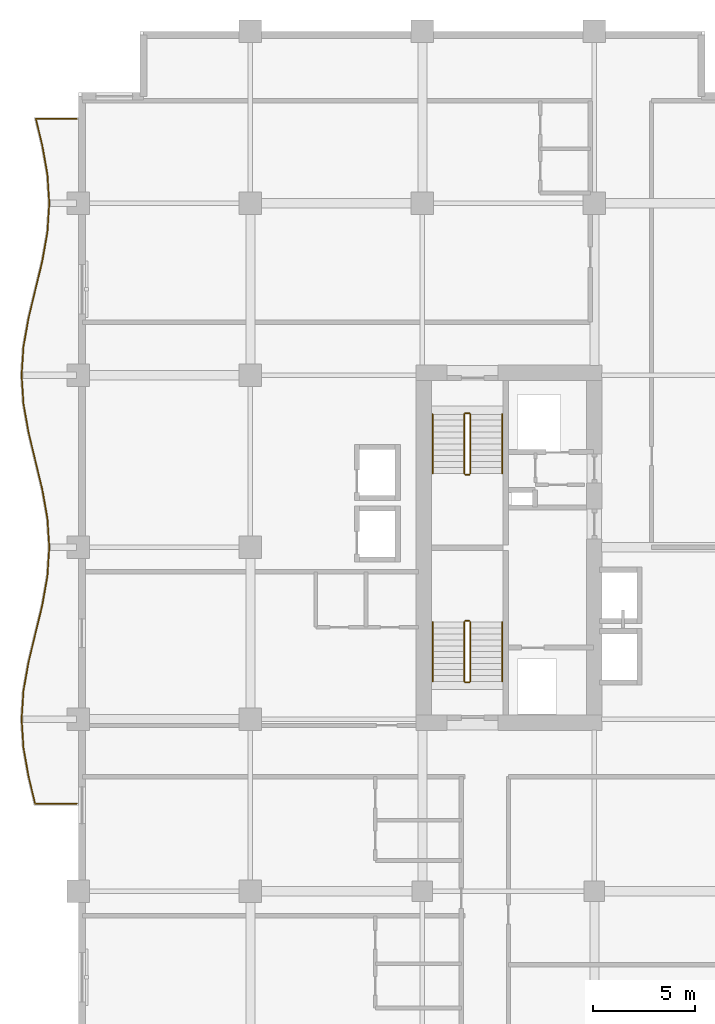
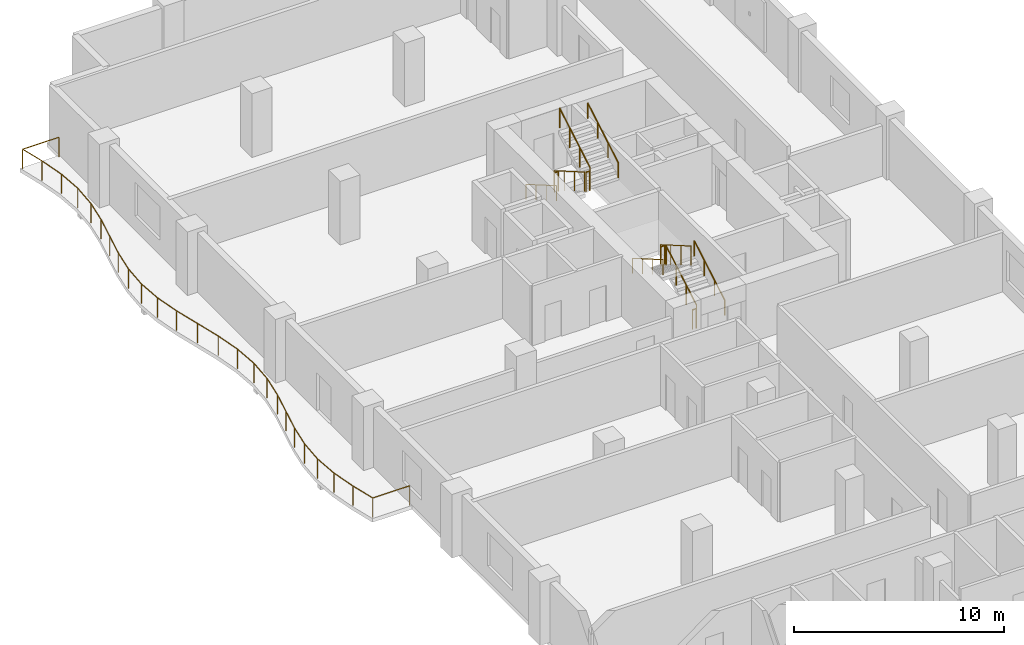
# One storey, part 21 of 22: 13 railings.
"""IFC4 building model written with IfcOpenShell, lengths in metres."""

from ifc_helpers import new_model, si_unit, direction, frame, origin, origin_2d, place, context, subcontext, project, spatial, circle, extrude, material, type_object, element, save


model = new_model("IFC4")

# Units and contexts
model_context = context("Model", 3, precision=1e-05, world=origin(), true_north=direction((0.0, 1.0)))
body_context = subcontext(model_context, "Body", "Model", "MODEL_VIEW")
ifc_project = project(units=[si_unit("LENGTHUNIT", "METRE"), si_unit("AREAUNIT", "SQUARE_METRE"), si_unit("VOLUMEUNIT", "CUBIC_METRE"), si_unit("PLANEANGLEUNIT", "RADIAN"), si_unit("MASSUNIT", "GRAM", prefix="KILO")], contexts=[model_context])

# Site, building, storey
site_placement = place(None, origin())
site = spatial("IfcSite", under=ifc_project, at=site_placement, CompositionType="ELEMENT")
building_placement = place(site_placement, origin())
building = spatial("IfcBuilding", under=site, at=building_placement, Name="Koriwani Terraces Tower", CompositionType="ELEMENT")
storey_placement = place(building_placement, frame((0.0, 0.0, 168.0)))
storey = spatial("IfcBuildingStorey", under=building, at=storey_placement, Name="L40", CompositionType="ELEMENT", Elevation=168.0)

# Railings
ifc_material = material(Name="Steel ASTM A572 Grade 50", Category="steel")
railing_type_1 = type_object("IfcRailingType", Name="GUARD_BALUSTRADE_1150", PredefinedType="BALUSTRADE", material=ifc_material)
railing_1_placement = place(storey_placement, frame((-0.080078125, 37.8798828125, 0.0)))
element("IfcRailing", 1, at=railing_1_placement, inside=storey, type_object=railing_type_1, Name="L40 Balcony Perimeter Safety Balustrade (W)", PredefinedType="BALUSTRADE", context=body_context, shape_type="SweptSolid", body=[
    extrude(circle(Radius=0.02392578125, at=origin_2d()), frame((0.0, 0.0, 1.1259765625), z_axis=(-1.0, 0.0, 0.0), x_axis=(0.0, -1.0, 0.0)), (0.0, 0.0, 1.0), 2.031982421875),
    extrude(circle(Radius=0.02392578125, at=origin_2d()), frame((-2.031982421875, 0.0, 1.1259765625), z_axis=(-0.234252790362, 0.97217571982, 0.0), x_axis=(-0.97217571982, -0.234252790362, 0.0)), (0.0, 0.0, 1.0), 1.374755859375),
    extrude(circle(Radius=0.02392578125, at=origin_2d()), frame((-2.35400390625, 1.33642578125, 1.1259765625), z_axis=(-0.173932985997, 0.984757491153, 0.0), x_axis=(-0.984757491153, -0.173932985997, 0.0)), (0.0, 0.0, 1.0), 1.414794921875),
    extrude(circle(Radius=0.02392578125, at=origin_2d()), frame((-2.60009765625, 2.729736328125, 1.1259765625), z_axis=(-0.064309099225, 0.997930027485, 0.0), x_axis=(-0.997930027485, -0.064309099225, 0.0)), (0.0, 0.0, 1.0), 1.393310546875),
    extrude(circle(Radius=0.02392578125, at=origin_2d()), frame((-2.689697265625, 4.1201171875, 1.1259765625), z_axis=(0.064309099225, 0.997930027485, 0.0), x_axis=(-0.997930027485, 0.064309099225, 0.0)), (0.0, 0.0, 1.0), 1.393310546875),
    extrude(circle(Radius=0.02392578125, at=origin_2d()), frame((-2.60009765625, 5.510498046875, 1.1259765625), z_axis=(0.173932985997, 0.984757491153, 0.0), x_axis=(-0.984757491153, 0.173932985997, 0.0)), (0.0, 0.0, 1.0), 1.414794921875),
    extrude(circle(Radius=0.02392578125, at=origin_2d()), frame((-2.35400390625, 6.90380859375, 1.1259765625), z_axis=(0.234289744186, 0.972166814785, 0.0), x_axis=(-0.972166814785, 0.234289744186, 0.0)), (0.0, 0.0, 1.0), 2.880126953125),
    extrude(circle(Radius=0.02392578125, at=origin_2d()), frame((-1.67919921875, 9.703857421875, 1.1259765625), z_axis=(0.173814583381, 0.984778396698, 0.0), x_axis=(-0.984778396698, 0.173814583381, 0.0)), (0.0, 0.0, 1.0), 1.428466796875),
    extrude(circle(Radius=0.02392578125, at=origin_2d()), frame((-1.430908203125, 11.110595703125, 1.1259765625), z_axis=(0.064304534842, 0.997930321615, 0.0), x_axis=(-0.997930321615, 0.064304534842, 0.0)), (0.0, 0.0, 1.0), 1.412353515625),
    extrude(circle(Radius=0.02392578125, at=origin_2d()), frame((-1.340087890625, 12.52001953125, 1.1259765625), z_axis=(-0.064293443969, 0.997931036226, 0.0), x_axis=(-0.997931036226, -0.064293443969, 0.0)), (0.0, 0.0, 1.0), 1.41259765625),
    extrude(circle(Radius=0.02392578125, at=origin_2d()), frame((-1.430908203125, 13.9296875, 1.1259765625), z_axis=(-0.173814583381, 0.984778396698, 0.0), x_axis=(-0.984778396698, -0.173814583381, 0.0)), (0.0, 0.0, 1.0), 1.428466796875),
    extrude(circle(Radius=0.02392578125, at=origin_2d()), frame((-1.67919921875, 15.33642578125, 1.1259765625), z_axis=(-0.234289744186, 0.972166814785, 0.0), x_axis=(-0.972166814785, -0.234289744186, 0.0)), (0.0, 0.0, 1.0), 2.880126953125),
    extrude(circle(Radius=0.02392578125, at=origin_2d()), frame((-2.35400390625, 18.136474609375, 1.1259765625), z_axis=(-0.173932985997, 0.984757491153, 0.0), x_axis=(-0.984757491153, -0.173932985997, 0.0)), (0.0, 0.0, 1.0), 1.414794921875),
    extrude(circle(Radius=0.02392578125, at=origin_2d()), frame((-2.60009765625, 19.52978515625, 1.1259765625), z_axis=(-0.064309099225, 0.997930027485, 0.0), x_axis=(-0.997930027485, -0.064309099225, 0.0)), (0.0, 0.0, 1.0), 1.393310546875),
    extrude(circle(Radius=0.02392578125, at=origin_2d()), frame((-2.689697265625, 20.920166015625, 1.1259765625), z_axis=(0.064309099225, 0.997930027485, 0.0), x_axis=(-0.997930027485, 0.064309099225, 0.0)), (0.0, 0.0, 1.0), 1.393310546875),
    extrude(circle(Radius=0.02392578125, at=origin_2d()), frame((-2.60009765625, 22.310546875, 1.1259765625), z_axis=(0.173932985997, 0.984757491153, 0.0), x_axis=(-0.984757491153, 0.173932985997, 0.0)), (0.0, 0.0, 1.0), 1.414794921875),
    extrude(circle(Radius=0.02392578125, at=origin_2d()), frame((-2.35400390625, 23.703857421875, 1.1259765625), z_axis=(0.234289744186, 0.972166814785, 0.0), x_axis=(-0.972166814785, 0.234289744186, 0.0)), (0.0, 0.0, 1.0), 2.880126953125),
    extrude(circle(Radius=0.02392578125, at=origin_2d()), frame((-1.67919921875, 26.50390625, 1.1259765625), z_axis=(0.173814583381, 0.984778396698, 0.0), x_axis=(-0.984778396698, 0.173814583381, 0.0)), (0.0, 0.0, 1.0), 1.428466796875),
    extrude(circle(Radius=0.02392578125, at=origin_2d()), frame((-1.430908203125, 27.91064453125, 1.1259765625), z_axis=(0.064304534842, 0.997930321615, 0.0), x_axis=(-0.997930321615, 0.064304534842, 0.0)), (0.0, 0.0, 1.0), 1.412353515625),
    extrude(circle(Radius=0.02392578125, at=origin_2d()), frame((-1.340087890625, 29.320068359375, 1.1259765625), z_axis=(-0.064293443969, 0.997931036226, 0.0), x_axis=(-0.997931036226, -0.064293443969, 0.0)), (0.0, 0.0, 1.0), 1.41259765625),
    extrude(circle(Radius=0.02392578125, at=origin_2d()), frame((-1.430908203125, 30.729736328125, 1.1259765625), z_axis=(-0.173814583381, 0.984778396698, 0.0), x_axis=(-0.984778396698, -0.173814583381, 0.0)), (0.0, 0.0, 1.0), 1.428466796875),
    extrude(circle(Radius=0.02392578125, at=origin_2d()), frame((-1.67919921875, 32.136474609375, 1.1259765625), z_axis=(-0.234302390999, 0.972163766848, 0.0), x_axis=(-0.972163766848, -0.234302390999, 0.0)), (0.0, 0.0, 1.0), 1.341064453125),
    extrude(circle(Radius=0.02392578125, at=origin_2d()), frame((-1.993408203125, 33.440185546875, 1.1259765625), z_axis=(1.0, 0.0, 0.0), x_axis=(0.0, 1.0, 0.0)), (0.0, 0.0, 1.0), 1.993408203125),
    extrude(circle(Radius=0.02099609375, at=origin_2d()), origin(), (0.0, 0.0, 1.0), 1.101806640625),
    extrude(circle(Radius=0.02099609375, at=origin_2d()), frame((-2.031982421875, 0.0, 0.0)), (0.0, 0.0, 1.0), 1.101806640625),
    extrude(circle(Radius=0.02099609375, at=origin_2d()), frame((-2.35400390625, 1.33642578125, 0.0)), (0.0, 0.0, 1.0), 1.101806640625),
    extrude(circle(Radius=0.02099609375, at=origin_2d()), frame((-2.60009765625, 2.729736328125, 0.0)), (0.0, 0.0, 1.0), 1.101806640625),
    extrude(circle(Radius=0.02099609375, at=origin_2d()), frame((-2.689697265625, 4.1201171875, 0.0)), (0.0, 0.0, 1.0), 1.101806640625),
    extrude(circle(Radius=0.02099609375, at=origin_2d()), frame((-2.60009765625, 5.510498046875, 0.0)), (0.0, 0.0, 1.0), 1.101806640625),
    extrude(circle(Radius=0.02099609375, at=origin_2d()), frame((-2.35400390625, 6.90380859375, 0.0)), (0.0, 0.0, 1.0), 1.101806640625),
    extrude(circle(Radius=0.02099609375, at=origin_2d()), frame((-2.0166015625, 8.3037109375, 0.0)), (0.0, 0.0, 1.0), 1.101806640625),
    extrude(circle(Radius=0.02099609375, at=origin_2d()), frame((-1.67919921875, 9.703857421875, 0.0)), (0.0, 0.0, 1.0), 1.101806640625),
    extrude(circle(Radius=0.02099609375, at=origin_2d()), frame((-1.430908203125, 11.110595703125, 0.0)), (0.0, 0.0, 1.0), 1.101806640625),
    extrude(circle(Radius=0.02099609375, at=origin_2d()), frame((-1.340087890625, 12.52001953125, 0.0)), (0.0, 0.0, 1.0), 1.101806640625),
    extrude(circle(Radius=0.02099609375, at=origin_2d()), frame((-1.430908203125, 13.9296875, 0.0)), (0.0, 0.0, 1.0), 1.101806640625),
    extrude(circle(Radius=0.02099609375, at=origin_2d()), frame((-1.67919921875, 15.33642578125, 0.0)), (0.0, 0.0, 1.0), 1.101806640625),
    extrude(circle(Radius=0.02099609375, at=origin_2d()), frame((-2.0166015625, 16.736328125, 0.0)), (0.0, 0.0, 1.0), 1.101806640625),
    extrude(circle(Radius=0.02099609375, at=origin_2d()), frame((-2.35400390625, 18.136474609375, 0.0)), (0.0, 0.0, 1.0), 1.101806640625),
    extrude(circle(Radius=0.02099609375, at=origin_2d()), frame((-2.60009765625, 19.52978515625, 0.0)), (0.0, 0.0, 1.0), 1.101806640625),
    extrude(circle(Radius=0.02099609375, at=origin_2d()), frame((-2.689697265625, 20.920166015625, 0.0)), (0.0, 0.0, 1.0), 1.101806640625),
    extrude(circle(Radius=0.02099609375, at=origin_2d()), frame((-2.60009765625, 22.310546875, 0.0)), (0.0, 0.0, 1.0), 1.101806640625),
    extrude(circle(Radius=0.02099609375, at=origin_2d()), frame((-2.35400390625, 23.703857421875, 0.0)), (0.0, 0.0, 1.0), 1.101806640625),
    extrude(circle(Radius=0.02099609375, at=origin_2d()), frame((-2.0166015625, 25.10400390625, 0.0)), (0.0, 0.0, 1.0), 1.101806640625),
    extrude(circle(Radius=0.02099609375, at=origin_2d()), frame((-1.67919921875, 26.50390625, 0.0)), (0.0, 0.0, 1.0), 1.101806640625),
    extrude(circle(Radius=0.02099609375, at=origin_2d()), frame((-1.430908203125, 27.91064453125, 0.0)), (0.0, 0.0, 1.0), 1.101806640625),
    extrude(circle(Radius=0.02099609375, at=origin_2d()), frame((-1.340087890625, 29.320068359375, 0.0)), (0.0, 0.0, 1.0), 1.101806640625),
    extrude(circle(Radius=0.02099609375, at=origin_2d()), frame((-1.430908203125, 30.729736328125, 0.0)), (0.0, 0.0, 1.0), 1.101806640625),
    extrude(circle(Radius=0.02099609375, at=origin_2d()), frame((-1.67919921875, 32.136474609375, 0.0)), (0.0, 0.0, 1.0), 1.101806640625),
    extrude(circle(Radius=0.02099609375, at=origin_2d()), frame((-1.993408203125, 33.440185546875, 0.0)), (0.0, 0.0, 1.0), 1.101806640625),
    extrude(circle(Radius=0.02099609375, at=origin_2d()), frame((0.0, 33.440185546875, 0.0)), (0.0, 0.0, 1.0), 1.101806640625),
])
railing_type_2 = type_object("IfcRailingType", Name="GUARD_STAIR_WELL_1120", PredefinedType="GUARDRAIL", material=ifc_material)
railing_2_placement = place(storey_placement, frame((19.14990234375, 43.85009765625, 0.168212890625)))
element("IfcRailing", 2, at=railing_2_placement, inside=storey, type_object=railing_type_2, Name="L40 ST-W1 stair guard 1", PredefinedType="GUARDRAIL", context=body_context, shape_type="SweptSolid", body=[
    extrude(circle(Radius=0.02392578125, at=origin_2d()), frame((0.0, 0.0, 1.1259765625), z_axis=(0.0, 0.865038774852, 0.501705010941), x_axis=(-1.0, 0.0, 0.0)), (0.0, 0.0, 1.0), 3.352294921875),
    extrude(circle(Radius=0.02099609375, at=origin_2d()), origin(), (0.0, 0.0, 1.0), 1.101806640625),
    extrude(circle(Radius=0.02099609375, at=origin_2d()), frame((0.0, 0.966552734375, 0.560546875)), (0.0, 0.0, 1.0), 1.101806640625),
    extrude(circle(Radius=0.02099609375, at=origin_2d()), frame((0.0, 1.933349609375, 1.121337890625)), (0.0, 0.0, 1.0), 1.101806640625),
    extrude(circle(Radius=0.02099609375, at=origin_2d()), frame((0.0, 2.89990234375, 1.681884765625)), (0.0, 0.0, 1.0), 1.101806640625),
])
railing_3_placement = place(storey_placement, frame((19.10009765625, 46.800048828125, 1.85009765625)))
element("IfcRailing", 3, at=railing_3_placement, inside=storey, type_object=railing_type_2, Name="L40 ST-W1 stair guard 2", PredefinedType="GUARDRAIL", context=body_context, shape_type="SweptSolid", body=[
    extrude(circle(Radius=0.02392578125, at=origin_2d()), frame((0.0, 0.0, 1.1259765625), z_axis=(-1.0, 0.0, 0.0), x_axis=(0.0, -1.0, 0.0)), (0.0, 0.0, 1.0), 0.2001953125),
    extrude(circle(Radius=0.02099609375, at=origin_2d()), origin(), (0.0, 0.0, 1.0), 1.101806640625),
    extrude(circle(Radius=0.02099609375, at=origin_2d()), frame((-0.2001953125, 0.0, 0.0)), (0.0, 0.0, 1.0), 1.101806640625),
])
railing_4_placement = place(storey_placement, frame((18.85009765625, 46.75, 2.01806640625)))
element("IfcRailing", 4, at=railing_4_placement, inside=storey, type_object=railing_type_2, Name="L40 ST-W1 stair guard 3", PredefinedType="GUARDRAIL", context=body_context, shape_type="SweptSolid", body=[
    extrude(circle(Radius=0.02392578125, at=origin_2d()), frame((0.0, 0.0, 1.1259765625), z_axis=(0.0, -0.865038774852, 0.501705010941), x_axis=(1.0, 0.0, 0.0)), (0.0, 0.0, 1.0), 3.352294921875),
    extrude(circle(Radius=0.02099609375, at=origin_2d()), origin(), (0.0, 0.0, 1.0), 1.101806640625),
    extrude(circle(Radius=0.02099609375, at=origin_2d()), frame((0.0, -0.966552734375, 0.560546875)), (0.0, 0.0, 1.0), 1.101806640625),
    extrude(circle(Radius=0.02099609375, at=origin_2d()), frame((0.0, -1.933349609375, 1.121337890625)), (0.0, 0.0, 1.0), 1.101806640625),
    extrude(circle(Radius=0.02099609375, at=origin_2d()), frame((0.0, -2.89990234375, 1.681884765625)), (0.0, 0.0, 1.0), 1.101806640625),
])
railing_5_placement = place(storey_placement, frame((19.10009765625, 43.800048828125, 0.0)))
element("IfcRailing", 5, at=railing_5_placement, inside=storey, type_object=railing_type_2, Name="L40 ST-W1 stair guard 4", PredefinedType="GUARDRAIL", context=body_context, shape_type="SweptSolid", body=[
    extrude(circle(Radius=0.02392578125, at=origin_2d()), frame((0.0, 0.0, 1.1259765625), z_axis=(-1.0, 0.0, 0.0), x_axis=(0.0, -1.0, 0.0)), (0.0, 0.0, 1.0), 0.2001953125),
    extrude(circle(Radius=0.02099609375, at=origin_2d()), origin(), (0.0, 0.0, 1.0), 1.101806640625),
    extrude(circle(Radius=0.02099609375, at=origin_2d()), frame((-0.2001953125, 0.0, 0.0)), (0.0, 0.0, 1.0), 1.101806640625),
])
railing_6_placement = place(storey_placement, frame((18.85009765625, 56.89990234375, 0.168212890625)))
element("IfcRailing", 6, at=railing_6_placement, inside=storey, type_object=railing_type_2, Name="L40 ST-W2 stair guard 1", PredefinedType="GUARDRAIL", context=body_context, shape_type="SweptSolid", body=[
    extrude(circle(Radius=0.02392578125, at=origin_2d()), frame((0.0, 0.0, 1.1259765625), z_axis=(0.0, -0.865038774852, 0.501705010941), x_axis=(1.0, 0.0, 0.0)), (0.0, 0.0, 1.0), 3.352294921875),
    extrude(circle(Radius=0.02099609375, at=origin_2d()), origin(), (0.0, 0.0, 1.0), 1.101806640625),
    extrude(circle(Radius=0.02099609375, at=origin_2d()), frame((0.0, -0.966552734375, 0.560546875)), (0.0, 0.0, 1.0), 1.101806640625),
    extrude(circle(Radius=0.02099609375, at=origin_2d()), frame((0.0, -1.933349609375, 1.121337890625)), (0.0, 0.0, 1.0), 1.101806640625),
    extrude(circle(Radius=0.02099609375, at=origin_2d()), frame((0.0, -2.89990234375, 1.681884765625)), (0.0, 0.0, 1.0), 1.101806640625),
])
railing_7_placement = place(storey_placement, frame((18.89990234375, 53.949951171875, 1.85009765625)))
element("IfcRailing", 7, at=railing_7_placement, inside=storey, type_object=railing_type_2, Name="L40 ST-W2 stair guard 2", PredefinedType="GUARDRAIL", context=body_context, shape_type="SweptSolid", body=[
    extrude(circle(Radius=0.02392578125, at=origin_2d()), frame((0.0, 0.0, 1.1259765625), z_axis=(1.0, 0.0, 0.0), x_axis=(0.0, 1.0, 0.0)), (0.0, 0.0, 1.0), 0.2001953125),
    extrude(circle(Radius=0.02099609375, at=origin_2d()), origin(), (0.0, 0.0, 1.0), 1.101806640625),
    extrude(circle(Radius=0.02099609375, at=origin_2d()), frame((0.2001953125, 0.0, 0.0)), (0.0, 0.0, 1.0), 1.101806640625),
])
railing_8_placement = place(storey_placement, frame((19.14990234375, 54.0, 2.01806640625)))
element("IfcRailing", 8, at=railing_8_placement, inside=storey, type_object=railing_type_2, Name="L40 ST-W2 stair guard 3", PredefinedType="GUARDRAIL", context=body_context, shape_type="SweptSolid", body=[
    extrude(circle(Radius=0.02392578125, at=origin_2d()), frame((0.0, 0.0, 1.1259765625), z_axis=(0.0, 0.865038774852, 0.501705010941), x_axis=(-1.0, 0.0, 0.0)), (0.0, 0.0, 1.0), 3.352294921875),
    extrude(circle(Radius=0.02099609375, at=origin_2d()), origin(), (0.0, 0.0, 1.0), 1.101806640625),
    extrude(circle(Radius=0.02099609375, at=origin_2d()), frame((0.0, 0.966552734375, 0.560546875)), (0.0, 0.0, 1.0), 1.101806640625),
    extrude(circle(Radius=0.02099609375, at=origin_2d()), frame((0.0, 1.933349609375, 1.121337890625)), (0.0, 0.0, 1.0), 1.101806640625),
    extrude(circle(Radius=0.02099609375, at=origin_2d()), frame((0.0, 2.89990234375, 1.681884765625)), (0.0, 0.0, 1.0), 1.101806640625),
])
railing_9_placement = place(storey_placement, frame((18.89990234375, 56.949951171875, 0.0)))
element("IfcRailing", 9, at=railing_9_placement, inside=storey, type_object=railing_type_2, Name="L40 ST-W2 stair guard 4", PredefinedType="GUARDRAIL", context=body_context, shape_type="SweptSolid", body=[
    extrude(circle(Radius=0.02392578125, at=origin_2d()), frame((0.0, 0.0, 1.1259765625), z_axis=(1.0, 0.0, 0.0), x_axis=(0.0, 1.0, 0.0)), (0.0, 0.0, 1.0), 0.2001953125),
    extrude(circle(Radius=0.02099609375, at=origin_2d()), origin(), (0.0, 0.0, 1.0), 1.101806640625),
    extrude(circle(Radius=0.02099609375, at=origin_2d()), frame((0.2001953125, 0.0, 0.0)), (0.0, 0.0, 1.0), 1.101806640625),
])
railing_type_3 = type_object("IfcRailingType", Name="HANDRAIL_STAIR_920", PredefinedType="HANDRAIL", material=ifc_material)
railing_10_placement = place(storey_placement, frame((20.699951171875, 43.85009765625, 0.168212890625)))
element("IfcRailing", 10, at=railing_10_placement, inside=storey, type_object=railing_type_3, Name="L40 ST-W1 stair handrail 1", PredefinedType="HANDRAIL", context=body_context, shape_type="SweptSolid", body=[
    extrude(circle(Radius=0.02392578125, at=origin_2d()), frame((0.0, 0.0, 0.8759765625), z_axis=(0.0, 0.865038774852, 0.501705010941), x_axis=(-1.0, 0.0, 0.0)), (0.0, 0.0, 1.0), 3.352294921875),
    extrude(circle(Radius=0.02099609375, at=origin_2d()), origin(), (0.0, 0.0, 1.0), 0.851806640625),
    extrude(circle(Radius=0.02099609375, at=origin_2d()), frame((0.0, 0.966552734375, 0.560546875)), (0.0, 0.0, 1.0), 0.851806640625),
    extrude(circle(Radius=0.02099609375, at=origin_2d()), frame((0.0, 1.933349609375, 1.121337890625)), (0.0, 0.0, 1.0), 0.851806640625),
    extrude(circle(Radius=0.02099609375, at=origin_2d()), frame((0.0, 2.89990234375, 1.681884765625)), (0.0, 0.0, 1.0), 0.851806640625),
])
for number, where, name in (
    (11, (17.300048828125, 46.75, 2.01806640625), "L40 ST-W1 stair handrail 2"),
    (12, (17.300048828125, 56.89990234375, 0.168212890625), "L40 ST-W2 stair handrail 1"),
):
    element("IfcRailing", number, at=place(storey_placement, frame(where)), inside=storey, type_object=railing_type_3, Name=name, PredefinedType="HANDRAIL", context=body_context, shape_type="SweptSolid", body=[
        extrude(circle(Radius=0.02392578125, at=origin_2d()), frame((0.0, 0.0, 0.8759765625), z_axis=(0.0, -0.865038774852, 0.501705010941), x_axis=(1.0, 0.0, 0.0)), (0.0, 0.0, 1.0), 3.352294921875),
        extrude(circle(Radius=0.02099609375, at=origin_2d()), origin(), (0.0, 0.0, 1.0), 0.851806640625),
        extrude(circle(Radius=0.02099609375, at=origin_2d()), frame((0.0, -0.966552734375, 0.560546875)), (0.0, 0.0, 1.0), 0.851806640625),
        extrude(circle(Radius=0.02099609375, at=origin_2d()), frame((0.0, -1.933349609375, 1.121337890625)), (0.0, 0.0, 1.0), 0.851806640625),
        extrude(circle(Radius=0.02099609375, at=origin_2d()), frame((0.0, -2.89990234375, 1.681884765625)), (0.0, 0.0, 1.0), 0.851806640625),
    ])
railing_11_placement = place(storey_placement, frame((20.699951171875, 54.0, 2.01806640625)))
element("IfcRailing", 13, at=railing_11_placement, inside=storey, type_object=railing_type_3, Name="L40 ST-W2 stair handrail 2", PredefinedType="HANDRAIL", context=body_context, shape_type="SweptSolid", body=[
    extrude(circle(Radius=0.02392578125, at=origin_2d()), frame((0.0, 0.0, 0.8759765625), z_axis=(0.0, 0.865038774852, 0.501705010941), x_axis=(-1.0, 0.0, 0.0)), (0.0, 0.0, 1.0), 3.352294921875),
    extrude(circle(Radius=0.02099609375, at=origin_2d()), origin(), (0.0, 0.0, 1.0), 0.851806640625),
    extrude(circle(Radius=0.02099609375, at=origin_2d()), frame((0.0, 0.966552734375, 0.560546875)), (0.0, 0.0, 1.0), 0.851806640625),
    extrude(circle(Radius=0.02099609375, at=origin_2d()), frame((0.0, 1.933349609375, 1.121337890625)), (0.0, 0.0, 1.0), 0.851806640625),
    extrude(circle(Radius=0.02099609375, at=origin_2d()), frame((0.0, 2.89990234375, 1.681884765625)), (0.0, 0.0, 1.0), 0.851806640625),
])

save(model, "model.ifc")
